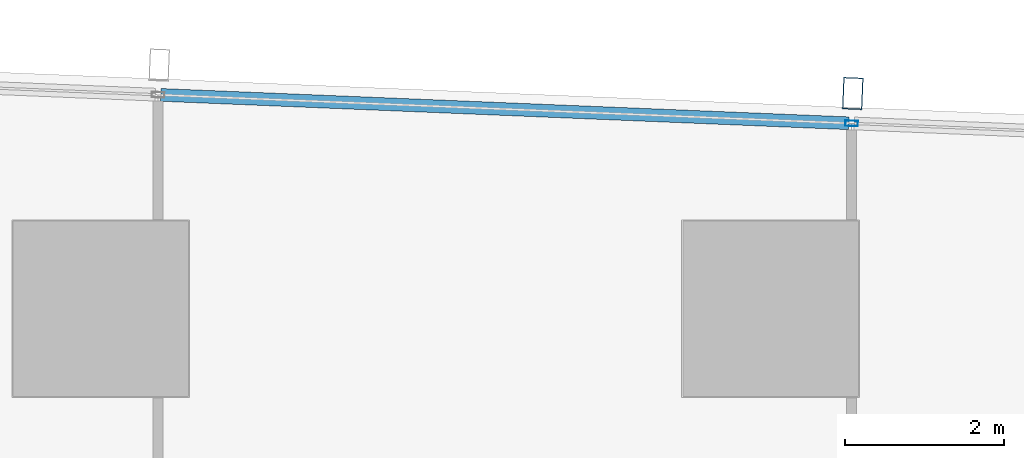
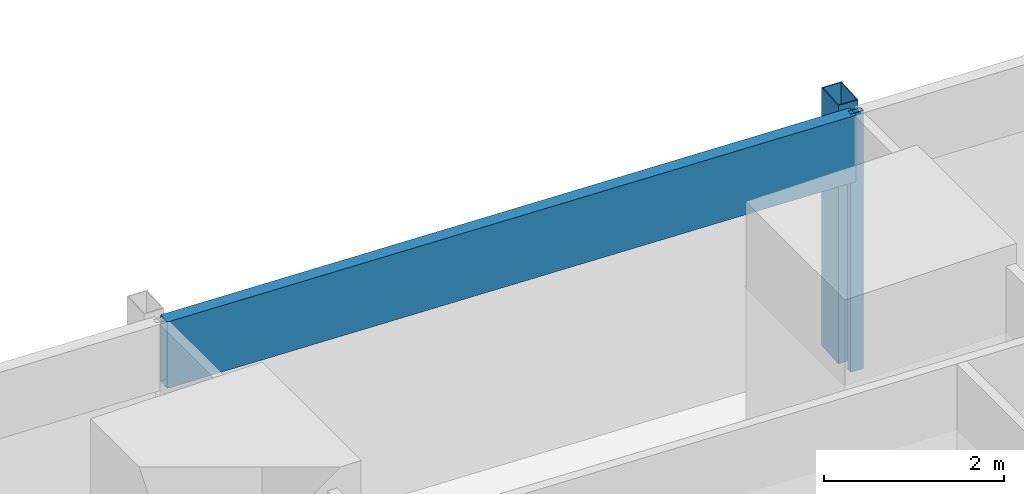
# One storey, part 22 of 44: 3 members, 1 element without a shape of its own.
"""IFC4 building model written with IfcOpenShell, lengths in metres."""

from ifc_helpers import new_model, si_unit, direction, frame, origin, origin_2d, place, context, subcontext, project, spatial, hollow_rectangle, extrude, material, material_profile, profile_set, type_object, element, aggregate, save


model = new_model("IFC4")

# Units and contexts
model_context = context("Model", 3, precision=1e-05, world=origin(), true_north=direction((0.0, 1.0)))
body_context = subcontext(model_context, "Body", "Model", "MODEL_VIEW")
ifc_project = project(units=[si_unit("LENGTHUNIT", "METRE"), si_unit("AREAUNIT", "SQUARE_METRE"), si_unit("VOLUMEUNIT", "CUBIC_METRE"), si_unit("PLANEANGLEUNIT", "RADIAN"), si_unit("MASSUNIT", "GRAM", prefix="KILO")], contexts=[model_context])

# Site, building, storey
site_placement = place(None, origin())
site = spatial("IfcSite", under=ifc_project, at=site_placement, CompositionType="ELEMENT")
building_placement = place(site_placement, origin())
building = spatial("IfcBuilding", under=site, at=building_placement, Name="Rekha Terrace Tower", CompositionType="ELEMENT")
storey_placement = place(building_placement, frame((0.0, 0.0, 51.64990234375)))
storey = spatial("IfcBuildingStorey", under=building, at=storey_placement, Name="L12", CompositionType="ELEMENT", Elevation=51.64990234375)

# Curtain wall, members
ifc_material_1 = material(Name="Aluminium framing", Category="aluminium")
curtain_wall_type = type_object("IfcCurtainWallType", Name="CW3 north unitised glazing", PredefinedType="USERDEFINED", material=ifc_material_1)
curtain_wall_placement = place(storey_placement, origin())
curtain_wall = element("IfcCurtainWall", 1, at=curtain_wall_placement, inside=storey, type_object=curtain_wall_type, Name="CW3 unitised curtain wall", ObjectType="UNITISED CURTAIN WALL", PredefinedType="USERDEFINED")
ifc_material_2 = material(Name="Steel S355 with fluorocarbon finish", Category="steel")
ifc_material_profile_1 = material_profile(ifc_material_2, hollow_rectangle(XDim=0.25, YDim=0.39990234375, WallThickness=0.012451171875, at=origin_2d()), Name="RHS400x250x12.5")
ifc_profile_set_1 = profile_set([ifc_material_profile_1], Name="Steel S355 with fluorocarbon finish")
member_type_1 = type_object("IfcMemberType", Name="BL1 facade blade RHS 400 x 250", PredefinedType="USERDEFINED", material=ifc_profile_set_1)
member_1_placement = place(storey_placement, frame((51.430419921875, 61.499267578125, 0.0), z_axis=(0.0, 0.0, 1.0), x_axis=(-0.99915196507, 0.041174636562, 0.0)))
member_1 = element("IfcMember", 2, at=member_1_placement, type_object=member_type_1, Name="Facade blade", ObjectType="FACADE BLADE", PredefinedType="USERDEFINED", context=body_context, shape_type="SweptSolid", body=[
    extrude(hollow_rectangle(XDim=0.25, YDim=0.39990234375, WallThickness=0.012451171875, at=origin_2d()), origin(), (0.0, 0.0, 1.0), 3.5),
])
ifc_material_3 = material(Name="Aluminium mullion section", Category="aluminium")
ifc_material_profile_2 = material_profile(ifc_material_3, hollow_rectangle(XDim=0.070068359375, YDim=0.159912109375, WallThickness=0.00390625, at=origin_2d()), Name="AL RHS 70x160")
ifc_profile_set_2 = profile_set([ifc_material_profile_2], Name="Aluminium mullion section")
member_type_2 = type_object("IfcMemberType", Name="CW3 mullion RHS 70 x 160", PredefinedType="MULLION", material=ifc_profile_set_2)
member_2_placement = place(storey_placement, frame((51.4150390625, 61.12451171875, 0.0), z_axis=(0.0, 0.0, 1.0), x_axis=(-0.041173846041, -0.999151997647, 0.0)))
member_2 = element("IfcMember", 3, at=member_2_placement, type_object=member_type_2, Name="CW3 mullion 3", PredefinedType="MULLION", context=body_context, shape_type="SweptSolid", body=[
    extrude(hollow_rectangle(XDim=0.070068359375, YDim=0.159912109375, WallThickness=0.00390625, at=origin_2d()), origin(), (0.0, 0.0, 1.0), 3.5),
])
ifc_material_4 = material(Name="Insulated aluminium spandrel box", Category="aluminium")
ifc_material_profile_3 = material_profile(ifc_material_4, hollow_rectangle(XDim=0.159912109375, YDim=0.89990234375, WallThickness=0.0029296875, at=origin_2d()), Name="AL SPANDREL BOX 160x900")
ifc_profile_set_3 = profile_set([ifc_material_profile_3], Name="Insulated aluminium spandrel box")
member_type_3 = type_object("IfcMemberType", Name="CW3 spandrel transom 160 x 900", PredefinedType="USERDEFINED", material=ifc_profile_set_3)
member_3_placement = place(storey_placement, frame((51.380126953125, 61.1259765625, 3.050048828125), z_axis=(-0.999152128669, 0.041170666459, 0.0), x_axis=(-0.041170666459, -0.999152128669, 0.0)))
member_3 = element("IfcMember", 4, at=member_3_placement, type_object=member_type_3, Name="CW3 spandrel transom 3", ObjectType="TRANSOM", PredefinedType="USERDEFINED", context=body_context, shape_type="SweptSolid", body=[
    extrude(hollow_rectangle(XDim=0.159912109375, YDim=0.89990234375, WallThickness=0.0029296875, at=origin_2d()), origin(), (0.0, 0.0, 1.0), 8.634033203125),
])
aggregate(curtain_wall, [member_2, member_3, member_1])

save(model, "model.ifc")
